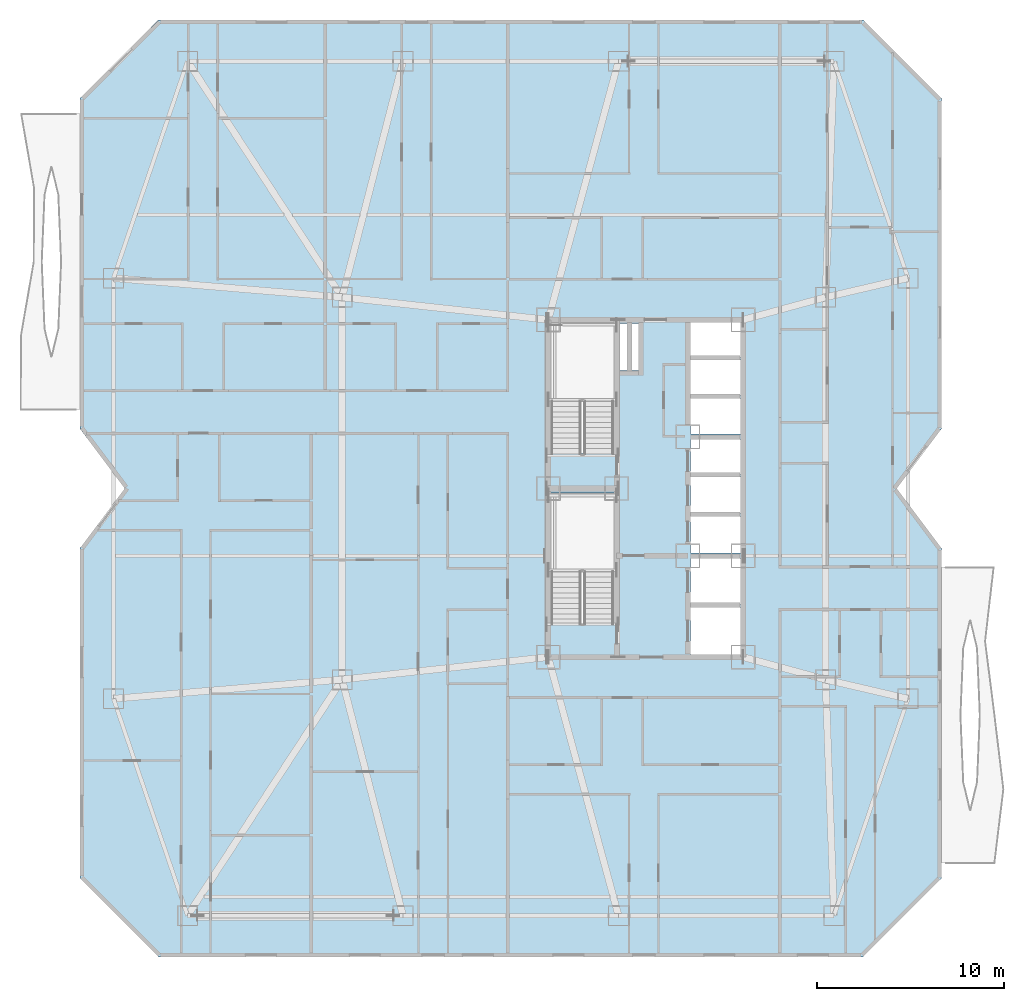
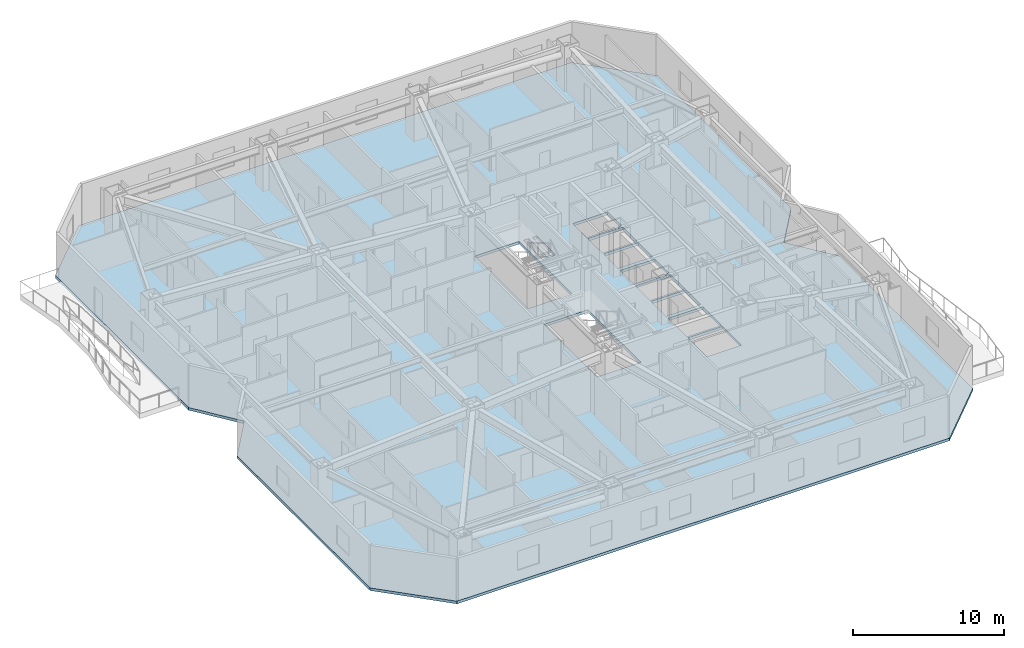
# One storey, part 3 of 16: 1 slab.
"""IFC4 building model written with IfcOpenShell, lengths in metres."""

from ifc_helpers import new_model, si_unit, direction, frame, origin, place, context, subcontext, project, spatial, polyline, outline, extrude, material, layer, layer_set, type_object, element, save


model = new_model("IFC4")

# Units and contexts
model_context = context("Model", 3, precision=1e-05, world=origin(), true_north=direction((0.0, 1.0)))
body_context = subcontext(model_context, "Body", "Model", "MODEL_VIEW")
ifc_project = project(units=[si_unit("LENGTHUNIT", "METRE"), si_unit("AREAUNIT", "SQUARE_METRE"), si_unit("VOLUMEUNIT", "CUBIC_METRE"), si_unit("PLANEANGLEUNIT", "RADIAN"), si_unit("MASSUNIT", "GRAM", prefix="KILO")], contexts=[model_context])

# Site, building, storey
site_placement = place(None, origin())
site = spatial("IfcSite", under=ifc_project, at=site_placement, CompositionType="ELEMENT")
building_placement = place(site_placement, origin())
building = spatial("IfcBuilding", under=site, at=building_placement, Name="Khamvora Tower", CompositionType="ELEMENT")
storey_placement = place(building_placement, frame((0.0, 0.0, 55.199951171875)))
storey = spatial("IfcBuildingStorey", under=building, at=storey_placement, Name="L13", CompositionType="ELEMENT", Elevation=55.199951171875)

# Slab
ifc_material = material(Name="Concrete C35/45", Category="concrete")
ifc_layer = layer(ifc_material, 0.219970703125)
ifc_layer_set = layer_set([ifc_layer], Name="Concrete C35/45")
slab_type = type_object("IfcSlabType", Name="SLB-TYP-220", PredefinedType="FLOOR", material=ifc_layer_set)
slab_placement = place(storey_placement, frame((0.0, 0.0, -0.219970703125)))
element("IfcSlab", 1, at=slab_placement, inside=storey, type_object=slab_type, Name="L13 structural floor slab", PredefinedType="FLOOR", context=body_context, shape_type="SweptSolid", body=[
    extrude(outline(polyline([(8.199951171875, 3.0), (45.800048828125, 3.0), (50.0, 7.199951171875), (50.0, 24.800048828125), (47.60009765625, 28.0), (50.0, 31.199951171875), (50.0, 48.800048828125), (45.800048828125, 53.0), (8.199951171875, 53.0), (4.0, 48.800048828125), (4.0, 31.199951171875), (6.39990234375, 28.0), (4.0, 24.800048828125), (4.0, 7.199951171875), (8.199951171875, 3.0)]), holes=[polyline([(32.5, 20.760009765625), (32.5, 27.75), (29.14990234375, 27.75), (29.14990234375, 20.760009765625), (32.5, 20.760009765625)]), polyline([(32.5, 29.860107421875), (32.5, 36.85009765625), (29.14990234375, 36.85009765625), (29.14990234375, 29.860107421875), (32.5, 29.860107421875)]), polyline([(36.60009765625, 19.14990234375), (39.25, 19.14990234375), (39.25, 21.64990234375), (36.60009765625, 21.64990234375), (36.60009765625, 19.14990234375)]), polyline([(36.60009765625, 21.800048828125), (39.25, 21.800048828125), (39.25, 24.25), (36.60009765625, 24.25), (36.60009765625, 21.800048828125)]), polyline([(36.60009765625, 24.550048828125), (39.25, 24.550048828125), (39.25, 26.5), (36.60009765625, 26.5), (36.60009765625, 24.550048828125)]), polyline([(36.60009765625, 26.64990234375), (39.25, 26.64990234375), (39.25, 28.60009765625), (36.60009765625, 28.60009765625), (36.60009765625, 26.64990234375)]), polyline([(36.60009765625, 28.75), (39.25, 28.75), (39.25, 30.60009765625), (36.60009765625, 30.60009765625), (36.60009765625, 28.75)]), polyline([(36.60009765625, 30.89990234375), (39.25, 30.89990234375), (39.25, 32.800048828125), (36.60009765625, 32.800048828125), (36.60009765625, 30.89990234375)]), polyline([(36.60009765625, 32.949951171875), (39.25, 32.949951171875), (39.25, 34.85009765625), (36.60009765625, 34.85009765625), (36.60009765625, 32.949951171875)]), polyline([(36.60009765625, 35.0), (39.25, 35.0), (39.25, 36.85009765625), (36.60009765625, 36.85009765625), (36.60009765625, 35.0)]), polyline([(32.800048828125, 34.300048828125), (33.199951171875, 34.300048828125), (33.199951171875, 36.800048828125), (32.800048828125, 36.800048828125), (32.800048828125, 34.300048828125)]), polyline([(33.47998046875, 34.300048828125), (33.820068359375, 34.300048828125), (33.820068359375, 36.800048828125), (33.47998046875, 36.800048828125), (33.47998046875, 34.300048828125)])]), origin(), (0.0, 0.0, 1.0), 0.219970703125),
])

save(model, "model.ifc")
